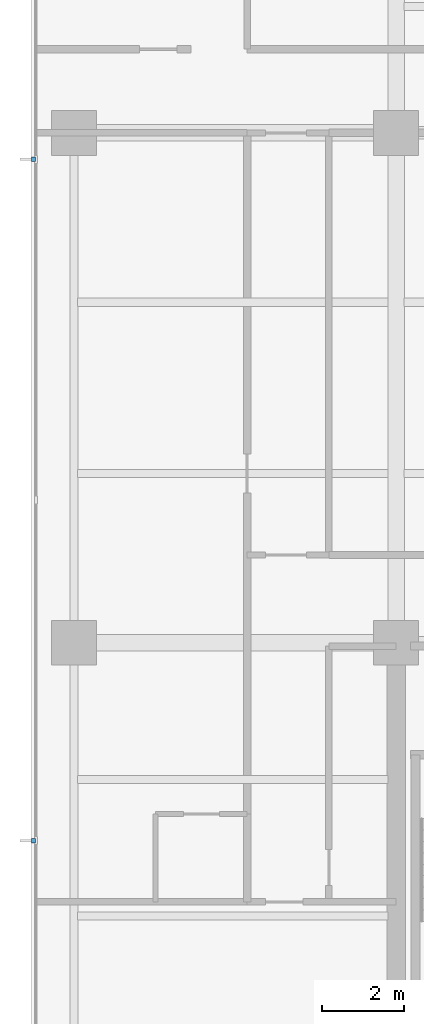
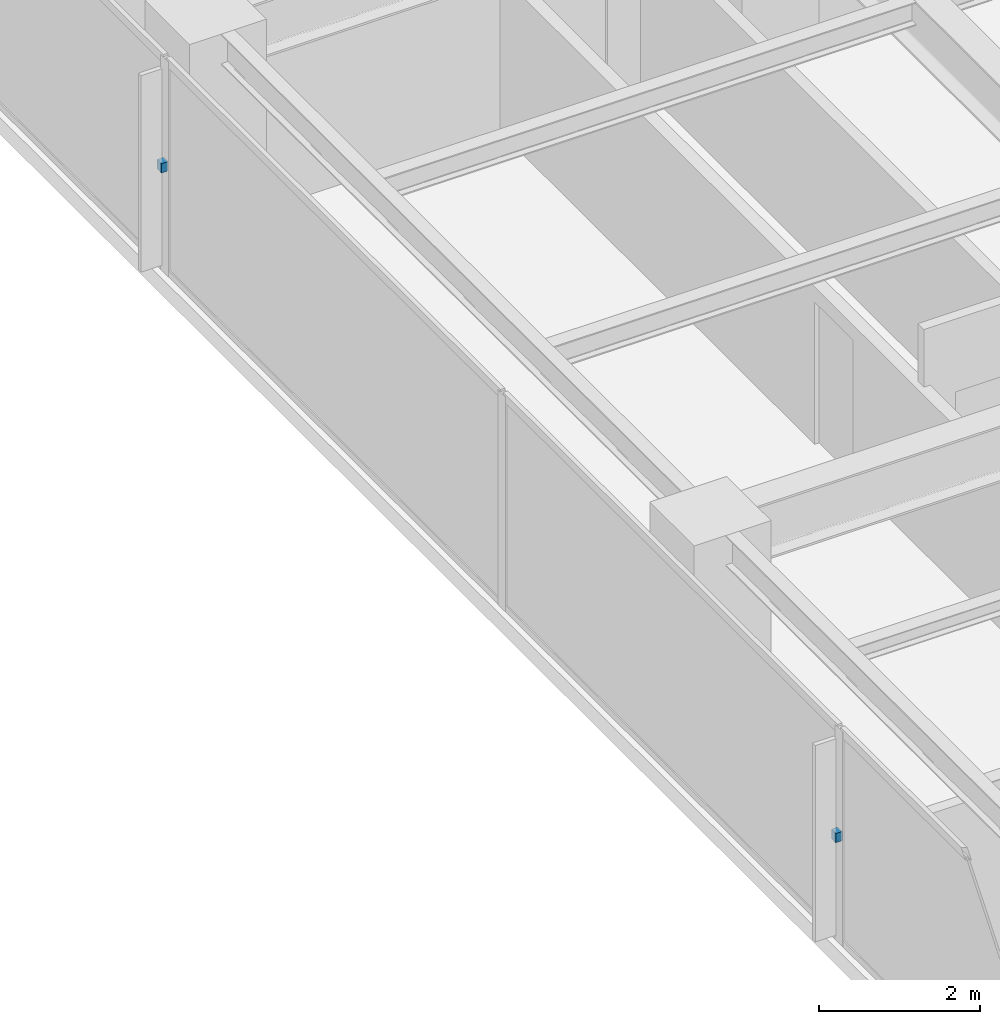
# One storey, part 11 of 15: 2 discrete accessories.
"""IFC4 building model written with IfcOpenShell, lengths in metres."""

import ifcopenshell
import ifcopenshell.guid

model = None  # the IFC model being written
_history = None  # IfcOwnerHistory: only IFC2X3 demands one
_inside = {}  # id of a spatial element -> (the spatial element, [elements in it])
_under = {}  # id of a project, library or spatial element -> (it, [spatial elements below it])
_declared = {}  # id of a project -> (the project, [libraries it declares])
_typed = {}  # id of a type object -> (the type object, [elements of that type])
_made_of = {}  # id of a material, layer set ... -> (it, [elements and type objects made of it])


def new_model(schema):
    """Start an empty IFC model of exactly this schema.

    Asked for "IFC4X3", IfcOpenShell would pick the latest addendum, in which some entities
    have other attributes; the version numbers below select the first issue.
    IFC2X3 requires an IfcOwnerHistory on every rooted entity: one is made here for all.
    """
    global model, _history
    if schema == "IFC4X3":
        model = ifcopenshell.file(schema_version=(4, 3, 0, 0))
    else:
        model = ifcopenshell.file(schema=schema)
    _inside.clear()
    _under.clear()
    _declared.clear()
    _typed.clear()
    _made_of.clear()
    _history = None
    if model.schema == "IFC2X3":
        org = make("IfcOrganization", Name="unknown")
        user = make(
            "IfcPersonAndOrganization",
            ThePerson=make("IfcPerson", FamilyName="unknown"),
            TheOrganization=org,
        )
        app = make(
            "IfcApplication",
            ApplicationDeveloper=org,
            Version="unknown",
            ApplicationFullName="unknown",
            ApplicationIdentifier="unknown",
        )
        _history = make(
            "IfcOwnerHistory",
            OwningUser=user,
            OwningApplication=app,
            ChangeAction="ADDED",
            CreationDate=0,
        )
    return model


def make(cls, **values):
    """One entity of the class cls with the attributes given. An attribute that is None is left unset."""
    return model.create_entity(
        cls, **{name: value for name, value in values.items() if value is not None}
    )


def rooted(cls, **values):
    """An entity with a GlobalId (a new one), such as an element, a storey or a relation."""
    return make(cls, GlobalId=ifcopenshell.guid.new(), OwnerHistory=_history, **values)


def si_unit(unit_type, name, prefix=None):
    """IfcSIUnit, for example si_unit("LENGTHUNIT", "METRE", prefix="MILLI")."""
    return make("IfcSIUnit", UnitType=unit_type, Prefix=prefix, Name=name)


def assignment(units):
    """IfcUnitAssignment: the units of a project."""
    return None if units is None else make("IfcUnitAssignment", Units=units)


def point(xyz):
    """IfcCartesianPoint."""
    return None if xyz is None else make("IfcCartesianPoint", Coordinates=xyz)


def direction(xyz):
    """IfcDirection."""
    return None if xyz is None else make("IfcDirection", DirectionRatios=xyz)


def frame(location, z_axis=None, x_axis=None):
    """IfcAxis2Placement3D, a coordinate frame: its origin and axes. An axis left out is left unset."""
    return make(
        "IfcAxis2Placement3D",
        Location=point(location),
        Axis=direction(z_axis),
        RefDirection=direction(x_axis),
    )


def origin():
    """The frame at (0, 0, 0) with its axes left unset."""
    return frame((0.0, 0.0, 0.0))


def place(relative_to, where):
    """IfcLocalPlacement: puts the frame where relative to a parent placement (None: the world)."""
    return make(
        "IfcLocalPlacement", PlacementRelTo=relative_to, RelativePlacement=where
    )


def context(
    kind, dimensions, precision=None, world=None, true_north=None, identifier=None
):
    """IfcGeometricRepresentationContext, for example the 3D "Model" context."""
    return make(
        "IfcGeometricRepresentationContext",
        ContextIdentifier=identifier,
        ContextType=kind,
        CoordinateSpaceDimension=dimensions,
        Precision=precision,
        WorldCoordinateSystem=world,
        TrueNorth=true_north,
    )


def subcontext(parent, identifier, kind, view, scale=None):
    """IfcGeometricRepresentationSubContext, for example "Body" below "Model"."""
    return make(
        "IfcGeometricRepresentationSubContext",
        ContextIdentifier=identifier,
        ContextType=kind,
        ParentContext=parent,
        TargetScale=scale,
        TargetView=view,
    )


def project(units=None, contexts=None):
    """IfcProject with its units and contexts."""
    return rooted(
        "IfcProject",
        Name="project",
        RepresentationContexts=contexts,
        UnitsInContext=assignment(units),
    )


def spatial(cls, under=None, at=None, **own):
    """A site, building, storey or space (cls), placed at a placement, below another one or the project."""
    s = rooted(cls, ObjectPlacement=at, **own)
    if under is not None:
        _under.setdefault(under.id(), (under, []))[1].append(s)
    return s


def polyline(points):
    """IfcPolyline through the points."""
    return make("IfcPolyline", Points=[point(p) for p in points])


def outline(outer, holes=None, kind="AREA"):
    """IfcArbitraryClosedProfileDef: a profile drawn as a closed curve; with holes, ...WithVoids."""
    if holes is None:
        return make("IfcArbitraryClosedProfileDef", ProfileType=kind, OuterCurve=outer)
    return make(
        "IfcArbitraryProfileDefWithVoids",
        ProfileType=kind,
        OuterCurve=outer,
        InnerCurves=holes,
    )


def extrude(swept, where, along, depth):
    """IfcExtrudedAreaSolid: the profile swept, set in the frame where, extruded along a direction by depth."""
    return make(
        "IfcExtrudedAreaSolid",
        SweptArea=swept,
        Position=where,
        ExtrudedDirection=direction(along),
        Depth=depth,
    )


def shape(context_of_items, identifier, shape_type, items):
    """IfcShapeRepresentation: the items that make up one representation, for example the "Body"."""
    return make(
        "IfcShapeRepresentation",
        ContextOfItems=context_of_items,
        RepresentationIdentifier=identifier,
        RepresentationType=shape_type,
        Items=items,
    )


def material(Name=None, Category=None):
    """IfcMaterial."""
    return make("IfcMaterial", Name=Name, Category=Category)


def made_of(thing, what):
    """Note that an element or type object is made of a material, layer set ...; save() writes the relation."""
    if what is not None:
        _made_of.setdefault(what.id(), (what, []))[1].append(thing)
    return thing


def type_object(cls, material=None, **own):
    """A type object (cls), such as IfcWallType, which elements share."""
    return made_of(rooted(cls, **own), material)


def element(
    cls,
    number,
    at=None,
    inside=None,
    cuts=None,
    type_object=None,
    material=None,
    context=None,
    identifier="Body",
    shape_type=None,
    held_by="IfcProductDefinitionShape",
    body=None,
    shapes=None,
    **own,
):
    """One element of the class cls, such as IfcWall. Its Tag is "e" and its number.

    at: its placement. inside: the storey or other place that contains it. cuts: it is an
    opening in that element (IfcRelVoidsElement). A single representation is given by context,
    identifier, shape_type and body (its items); several are given by shapes. held_by: the class
    of the entity that holds the representations. save() writes the other relations.
    """
    e = rooted(cls, Tag="e%d" % number, ObjectPlacement=at, **own)
    if body is not None:
        shapes = [shape(context, identifier, shape_type, body)]
    if shapes is not None:
        e.Representation = make(held_by, Representations=shapes)
    if inside is not None:
        _inside.setdefault(inside.id(), (inside, []))[1].append(e)
    if cuts is not None:
        rooted(
            "IfcRelVoidsElement", RelatingBuildingElement=cuts, RelatedOpeningElement=e
        )
    if type_object is not None:
        _typed.setdefault(type_object.id(), (type_object, []))[1].append(e)
    return made_of(e, material)


def aggregate(whole, parts):
    """IfcRelAggregates: a whole, such as a stair, and the parts it consists of."""
    return rooted("IfcRelAggregates", RelatingObject=whole, RelatedObjects=parts)


def save(model, path):
    """Write the relations noted so far, then the file.

    IfcRelAggregates (storeys below a building ...), IfcRelContainedInSpatialStructure (elements
    in a storey), IfcRelDefinesByType, IfcRelAssociatesMaterial and IfcRelDeclares: one each for
    every whole, place, type object, material and project.
    """
    for whole, parts in _under.values():
        aggregate(whole, parts)
    for where, things in _inside.values():
        rooted(
            "IfcRelContainedInSpatialStructure",
            RelatedElements=things,
            RelatingStructure=where,
        )
    for kind, things in _typed.values():
        rooted("IfcRelDefinesByType", RelatedObjects=things, RelatingType=kind)
    for what, things in _made_of.values():
        rooted("IfcRelAssociatesMaterial", RelatedObjects=things, RelatingMaterial=what)
    for by, libraries in _declared.values():
        rooted("IfcRelDeclares", RelatingContext=by, RelatedDefinitions=libraries)
    model.write(path)


model = new_model("IFC4")

# Units and contexts
model_context = context("Model", 3, precision=1e-05, world=origin(), true_north=direction((0.0, 1.0)))
body_context = subcontext(model_context, "Body", "Model", "MODEL_VIEW")
ifc_project = project(units=[si_unit("LENGTHUNIT", "METRE"), si_unit("AREAUNIT", "SQUARE_METRE"), si_unit("VOLUMEUNIT", "CUBIC_METRE"), si_unit("PLANEANGLEUNIT", "RADIAN"), si_unit("MASSUNIT", "GRAM", prefix="KILO")], contexts=[model_context])

# Site, building, storey
site_placement = place(None, origin())
site = spatial("IfcSite", under=ifc_project, at=site_placement, CompositionType="ELEMENT")
building_placement = place(site_placement, origin())
building = spatial("IfcBuilding", under=site, at=building_placement, Name="Qalmaran Belvedere Hotel", CompositionType="ELEMENT")
storey_placement = place(building_placement, frame((0.0, 0.0, 149.10009765625)))
storey = spatial("IfcBuildingStorey", under=building, at=storey_placement, Name="L37", CompositionType="ELEMENT", Elevation=149.10009765625)

# Discrete accessories
ifc_material = material(Name="Stainless Steel 1.4401", Category="steel")
discrete_accessory_type = type_object("IfcDiscreteAccessoryType", Name="BRK-FIN-SS316", PredefinedType="BRACKET", material=ifc_material)
discrete_accessory_1_placement = place(storey_placement, frame((0.0, 0.0, 1.574951171875)))
element("IfcDiscreteAccessory", 1, at=discrete_accessory_1_placement, inside=storey, type_object=discrete_accessory_type, Name="L37 Fin Bracket 1", PredefinedType="BRACKET", context=body_context, shape_type="SweptSolid", body=[
    extrude(outline(polyline([(11.455078125, 32.405029296875), (11.360107421875, 32.405029296875), (11.360107421875, 32.294921875), (11.455078125, 32.294921875), (11.455078125, 32.405029296875)])), origin(), (0.0, 0.0, 1.0), 0.139892578125),
])
discrete_accessory_2_placement = place(storey_placement, frame((0.0, 0.0, 1.574951171875)))
element("IfcDiscreteAccessory", 2, at=discrete_accessory_2_placement, inside=storey, type_object=discrete_accessory_type, Name="L37 Fin Bracket 3", PredefinedType="BRACKET", context=body_context, shape_type="SweptSolid", body=[
    extrude(outline(polyline([(11.455078125, 15.705078125), (11.360107421875, 15.705078125), (11.360107421875, 15.594970703125), (11.455078125, 15.594970703125), (11.455078125, 15.705078125)])), origin(), (0.0, 0.0, 1.0), 0.139892578125),
])

save(model, "model.ifc")
